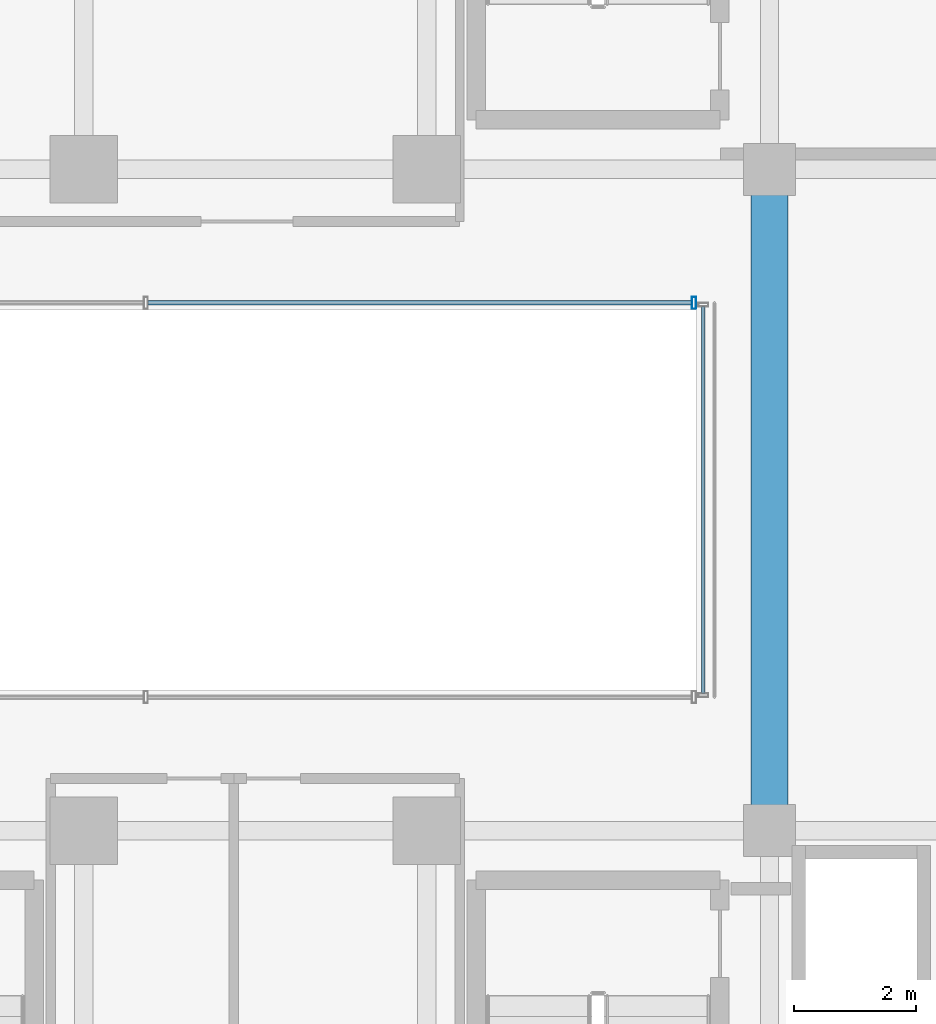
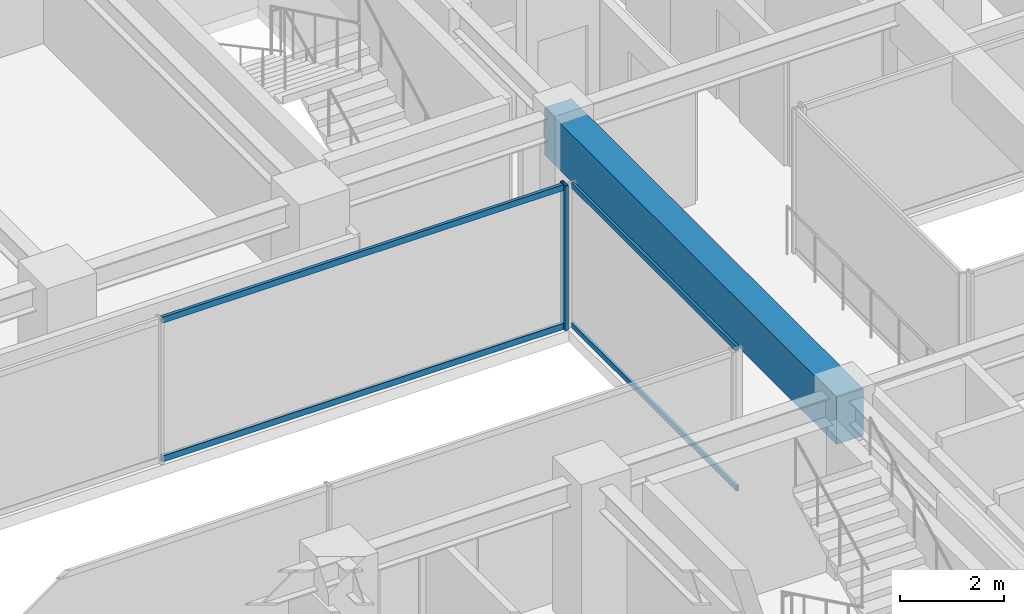
# One storey, part 11 of 38: 5 members, 1 beam, 2 elements without a shape of their own.
"""IFC4 building model written with IfcOpenShell, lengths in metres."""

from ifc_helpers import new_model, si_unit, direction, frame, origin, origin_2d, place, context, subcontext, project, spatial, rectangle, hollow_rectangle, extrude, source, transform, mapped, material, material_profile, profile_set, type_object, element, aggregate, save


model = new_model("IFC4")

# Units and contexts
model_context = context("Model", 3, precision=1e-05, world=origin(), true_north=direction((0.0, 1.0)))
body_context = subcontext(model_context, "Body", "Model", "MODEL_VIEW")
ifc_project = project(units=[si_unit("LENGTHUNIT", "METRE"), si_unit("AREAUNIT", "SQUARE_METRE"), si_unit("VOLUMEUNIT", "CUBIC_METRE"), si_unit("PLANEANGLEUNIT", "RADIAN"), si_unit("MASSUNIT", "GRAM", prefix="KILO")], contexts=[model_context])

# Site, building, storey
site_placement = place(None, origin())
site = spatial("IfcSite", under=ifc_project, at=site_placement, CompositionType="ELEMENT")
building_placement = place(site_placement, origin())
building = spatial("IfcBuilding", under=site, at=building_placement, Name="Nahalor Promenade Grand Hotel", CompositionType="ELEMENT")
storey_placement = place(building_placement, frame((0.0, 0.0, 163.60009765625)))
storey = spatial("IfcBuildingStorey", under=building, at=storey_placement, Name="L41", CompositionType="ELEMENT", Elevation=163.60009765625)

# Beam
ifc_material_1 = material(Name="Concrete B-60 (C50/60)", Category="concrete")
ifc_material_profile_1 = material_profile(ifc_material_1, rectangle(XDim=0.6, YDim=1.1, at=origin_2d()), Name="RC 600x1100")
ifc_profile_set_1 = profile_set([ifc_material_profile_1], Name="Concrete B-60 (C50/60)")
beam_type = type_object("IfcBeamType", Name="Beam-Lintel-RC1100", PredefinedType="LINTEL", material=ifc_profile_set_1)
shared_shape_1 = source(origin(), body_context, "Body", "SweptSolid", [
    extrude(rectangle(XDim=0.6, YDim=1.1, at=origin_2d()), origin(), (0.0, 0.0, 1.0), 11.2001953125),
])
beam_placement = place(storey_placement, frame((8.39990234375, -5.60009765625, 2.83984375), z_axis=(0.0, 1.0, 0.0), x_axis=(-1.0, 0.0, 0.0)))
element("IfcBeam", 1, at=beam_placement, inside=storey, type_object=beam_type, Name="BM-L41-LINT-W", PredefinedType="LINTEL", context=body_context, shape_type="MappedRepresentation", body=[
    mapped(shared_shape_1, transform((0.0, 0.0, 0.0), scale=1.0)),
])

# Curtain wall, members
ifc_material_2 = material(Name="Anodised Bronze Aluminium EN AW-6063 T6", Category="aluminium")
curtain_wall_type_1 = type_object("IfcCurtainWallType", Name="CW4 Low-Iron Sky-Gallery Bridge Curtain Wall", PredefinedType="USERDEFINED", material=ifc_material_2)
curtain_wall_1_placement = place(storey_placement, origin())
curtain_wall_1 = element("IfcCurtainWall", 2, at=curtain_wall_1_placement, inside=storey, type_object=curtain_wall_type_1, Name="L41 Curtain Wall CW-L41-BRG-W", ObjectType="UNITISED_CURTAIN_WALL", PredefinedType="USERDEFINED")
ifc_material_profile_2 = material_profile(ifc_material_2, hollow_rectangle(XDim=0.06, YDim=0.12, WallThickness=0.004, at=origin_2d()), Name="CWT 60x120x4")
ifc_profile_set_2 = profile_set([ifc_material_profile_2], Name="Anodised Bronze Aluminium EN AW-6063 T6")
member_type_1 = type_object("IfcMemberType", Name="CWT4 Sky-Gallery Slim Transom 60x120", PredefinedType="USERDEFINED", material=ifc_profile_set_2)
shared_shape_2 = source(origin(), body_context, "Body", "SweptSolid", [
    extrude(hollow_rectangle(XDim=0.06, YDim=0.12, WallThickness=0.004, at=origin_2d()), origin(), (0.0, 0.0, 1.0), 6.31982421875),
])
member_1_placement = place(storey_placement, frame((7.320068359375, -3.159912109375, 0.059814453125), z_axis=(0.0, 1.0, 0.0), x_axis=(-1.0, 0.0, 0.0)))
member_1 = element("IfcMember", 3, at=member_1_placement, type_object=member_type_1, Name="CW-L41-BRG-W Transom 0-0", ObjectType="TRANSOM", PredefinedType="USERDEFINED", context=body_context, shape_type="MappedRepresentation", body=[
    mapped(shared_shape_2, transform((0.0, 0.0, 0.0), scale=1.0)),
])
member_2_placement = place(storey_placement, frame((7.320068359375, -3.159912109375, 3.329833984375), z_axis=(0.0, 1.0, 0.0), x_axis=(-1.0, 0.0, 0.0)))
member_2 = element("IfcMember", 4, at=member_2_placement, type_object=member_type_1, Name="CW-L41-BRG-W Transom 0-1", ObjectType="TRANSOM", PredefinedType="USERDEFINED", context=body_context, shape_type="MappedRepresentation", body=[
    mapped(shared_shape_2, transform((0.0, 0.0, 0.0), scale=1.0)),
])
aggregate(curtain_wall_1, [member_1, member_2])

curtain_wall_type_2 = type_object("IfcCurtainWallType", Name="CW3 Elliptical-Void Collar Unitised Curtain Wall", PredefinedType="USERDEFINED", material=ifc_material_2)
curtain_wall_2_placement = place(storey_placement, origin())
curtain_wall_2 = element("IfcCurtainWall", 5, at=curtain_wall_2_placement, inside=storey, type_object=curtain_wall_type_2, Name="L41 Curtain Wall CW-L41-VOID-WN1", ObjectType="UNITISED_CURTAIN_WALL", PredefinedType="USERDEFINED")
ifc_material_profile_3 = material_profile(ifc_material_2, hollow_rectangle(XDim=0.07, YDim=0.14, WallThickness=0.004, at=origin_2d()), Name="CWT 70x140x4")
ifc_profile_set_3 = profile_set([ifc_material_profile_3], Name="Anodised Bronze Aluminium EN AW-6063 T6")
member_type_2 = type_object("IfcMemberType", Name="CWT3 Void Collar Transom 70x140", PredefinedType="USERDEFINED", material=ifc_profile_set_3)
shared_shape_3 = source(origin(), body_context, "Body", "SweptSolid", [
    extrude(hollow_rectangle(XDim=0.07, YDim=0.14, WallThickness=0.004, at=origin_2d()), origin(), (0.0, 0.0, 1.0), 8.881591796875),
])
member_3_placement = place(storey_placement, frame((-1.751708984375, 3.219970703125, 0.06982421875), z_axis=(1.0, 0.0, 0.0), x_axis=(0.0, 1.0, 0.0)))
member_3 = element("IfcMember", 6, at=member_3_placement, type_object=member_type_2, Name="CW-L41-VOID-WN1 Transom 2-0", ObjectType="TRANSOM", PredefinedType="USERDEFINED", context=body_context, shape_type="MappedRepresentation", body=[
    mapped(shared_shape_3, transform((0.0, 0.0, 0.0), scale=1.0)),
])
member_4_placement = place(storey_placement, frame((-1.751708984375, 3.219970703125, 3.31982421875), z_axis=(1.0, 0.0, 0.0), x_axis=(0.0, 1.0, 0.0)))
member_4 = element("IfcMember", 7, at=member_4_placement, type_object=member_type_2, Name="CW-L41-VOID-WN1 Transom 2-1", ObjectType="TRANSOM", PredefinedType="USERDEFINED", context=body_context, shape_type="MappedRepresentation", body=[
    mapped(shared_shape_3, transform((0.0, 0.0, 0.0), scale=1.0)),
])
ifc_material_profile_4 = material_profile(ifc_material_2, hollow_rectangle(XDim=0.07, YDim=0.2, WallThickness=0.005, at=origin_2d()), Name="CWM 70x200x5")
ifc_profile_set_4 = profile_set([ifc_material_profile_4], Name="Anodised Bronze Aluminium EN AW-6063 T6")
member_type_3 = type_object("IfcMemberType", Name="CWM3 Void Collar Mullion 70x200", PredefinedType="MULLION", material=ifc_profile_set_4)
shared_shape_4 = source(origin(), body_context, "Body", "SweptSolid", [
    extrude(hollow_rectangle(XDim=0.07, YDim=0.2, WallThickness=0.005, at=origin_2d()), origin(), (0.0, 0.0, 1.0), 3.389892578125),
])
member_5_placement = place(storey_placement, frame((7.1650390625, 3.219970703125, 0.0), z_axis=(0.0, 0.0, 1.0), x_axis=(1.0, 0.0, 0.0)))
member_5 = element("IfcMember", 8, at=member_5_placement, type_object=member_type_3, Name="CW-L41-VOID-WN1 Mullion 3", PredefinedType="MULLION", context=body_context, shape_type="MappedRepresentation", body=[
    mapped(shared_shape_4, transform((0.0, 0.0, 0.0), scale=1.0)),
])
aggregate(curtain_wall_2, [member_5, member_3, member_4])

save(model, "model.ifc")
